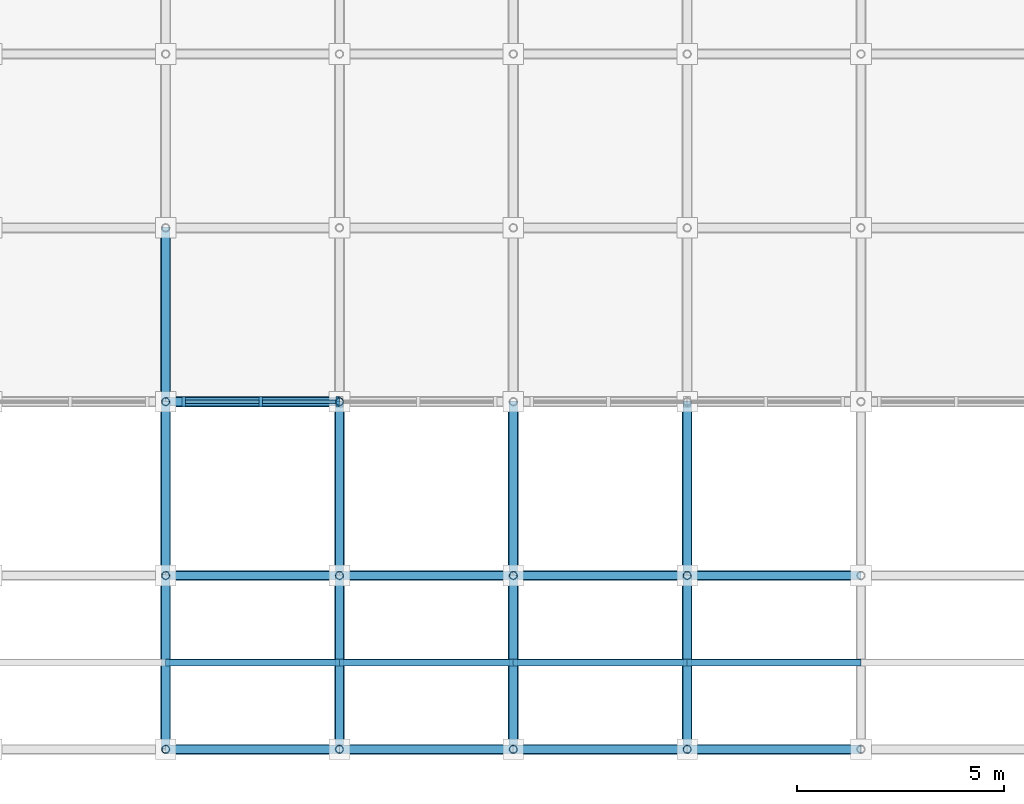
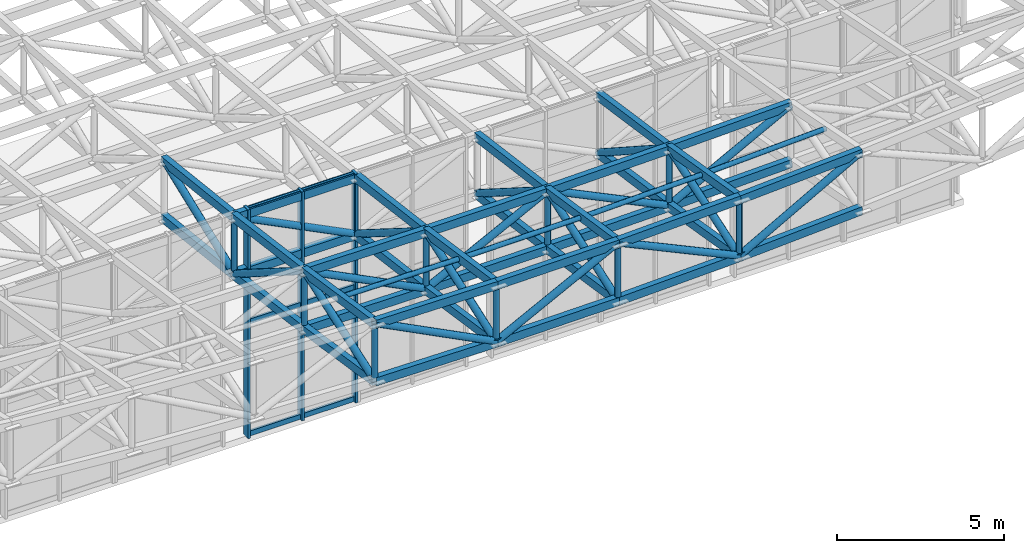
# One storey, part 32 of 123: 77 members, 1 element without a shape of its own.
"""IFC4 building model written with IfcOpenShell, lengths in metres."""

from ifc_helpers import new_model, si_unit, direction, frame, origin, origin_2d, place, context, subcontext, project, spatial, rectangle, hollow_rectangle, hollow_circle, extrude, material, material_profile, profile_set, type_object, element, aggregate, save


model = new_model("IFC4")

# Units and contexts
model_context = context("Model", 3, precision=1e-05, world=origin(), true_north=direction((0.0, 1.0)))
body_context = subcontext(model_context, "Body", "Model", "MODEL_VIEW")
ifc_project = project(units=[si_unit("LENGTHUNIT", "METRE"), si_unit("AREAUNIT", "SQUARE_METRE"), si_unit("VOLUMEUNIT", "CUBIC_METRE"), si_unit("PLANEANGLEUNIT", "RADIAN"), si_unit("MASSUNIT", "GRAM", prefix="KILO")], contexts=[model_context])

# Site, building, storey
site_placement = place(None, origin())
site = spatial("IfcSite", under=ifc_project, at=site_placement, CompositionType="ELEMENT")
building_placement = place(site_placement, origin())
building = spatial("IfcBuilding", under=site, at=building_placement, Name="Cumbredor Promenade Congress Hotel", CompositionType="ELEMENT")
storey_placement = place(building_placement, frame((0.0, 0.0, 11.760009765625)))
storey = spatial("IfcBuildingStorey", under=building, at=storey_placement, Name="L03", CompositionType="ELEMENT", Elevation=11.760009765625)

# Members
ifc_material_1 = material(Name="Steel ASTM A500 Grade C", Category="steel")
ifc_material_profile_1 = material_profile(ifc_material_1, hollow_rectangle(XDim=0.199951171875, YDim=0.300048828125, WallThickness=0.012451171875, at=origin_2d()), Name="HSS 300x200x12.5")
ifc_profile_set_1 = profile_set([ifc_material_profile_1], Name="Steel ASTM A500 Grade C")
member_type_1 = type_object("IfcMemberType", Name="Ballroom Roof Space Frame Chord", PredefinedType="CHORD", material=ifc_profile_set_1)
for number, where, z_axis, x_axis, name in (
    (1, (159.60009765625, 0.0, 9.376220703125), (0.999937723598, 0.0, -0.011160148982), (0.0, 1.0, 0.0), "Grand Ballroom Pavilion X Top Chord 6.1"),
    (2, (159.60009765625, 0.0, 7.276123046875), (0.999937723598, 0.0, -0.011160148982), (0.0, 1.0, 0.0), "Grand Ballroom Pavilion X Bottom Chord 6.1"),
    (3, (163.800048828125, 0.0, 9.329345703125), (0.999937723598, 0.0, 0.011160148982), (0.0, 1.0, 0.0), "Grand Ballroom Pavilion X Top Chord 7.1"),
    (4, (163.800048828125, 0.0, 7.229248046875), (0.999937723598, 0.0, 0.011160148982), (0.0, 1.0, 0.0), "Grand Ballroom Pavilion X Bottom Chord 7.1"),
):
    element("IfcMember", number, at=place(storey_placement, frame(where, z_axis=z_axis, x_axis=x_axis)), inside=storey, type_object=member_type_1, Name=name, PredefinedType="CHORD", context=body_context, shape_type="SweptSolid", body=[
        extrude(hollow_rectangle(XDim=0.199951171875, YDim=0.300048828125, WallThickness=0.012451171875, at=origin_2d()), origin(), (0.0, 0.0, 1.0), 4.2001953125),
    ])
for number, where, z_axis, x_axis, name in (
    (5, (168.0, 0.0, 9.376220703125), (0.999437986157, 0.0, 0.033521811196), (0.0, 1.0, 0.0), "Grand Ballroom Pavilion X Top Chord 8.1"),
    (6, (168.0, 0.0, 7.276123046875), (0.999437986157, 0.0, 0.033521811196), (0.0, 1.0, 0.0), "Grand Ballroom Pavilion X Bottom Chord 8.1"),
):
    element("IfcMember", number, at=place(storey_placement, frame(where, z_axis=z_axis, x_axis=x_axis)), inside=storey, type_object=member_type_1, Name=name, PredefinedType="CHORD", context=body_context, shape_type="SweptSolid", body=[
        extrude(hollow_rectangle(XDim=0.199951171875, YDim=0.300048828125, WallThickness=0.012451171875, at=origin_2d()), origin(), (0.0, 0.0, 1.0), 4.202392578125),
    ])
for number, where, z_axis, x_axis, name in (
    (7, (172.199951171875, 0.0, 9.51708984375), (0.998446571725, 0.0, 0.055717532341), (0.0, 1.0, 0.0), "Grand Ballroom Pavilion X Top Chord 9.1"),
    (8, (172.199951171875, 0.0, 7.4169921875), (0.998443341288, 0.0, 0.055775390977), (0.0, 1.0, 0.0), "Grand Ballroom Pavilion X Bottom Chord 9.1"),
):
    element("IfcMember", number, at=place(storey_placement, frame(where, z_axis=z_axis, x_axis=x_axis)), inside=storey, type_object=member_type_1, Name=name, PredefinedType="CHORD", context=body_context, shape_type="SweptSolid", body=[
        extrude(hollow_rectangle(XDim=0.199951171875, YDim=0.300048828125, WallThickness=0.012451171875, at=origin_2d()), origin(), (0.0, 0.0, 1.0), 4.20654296875),
    ])
for number, where, z_axis, x_axis, name in (
    (9, (159.60009765625, 4.199951171875, 8.7333984375), (0.999983105295, 0.0, -0.005812841396), (0.0, 1.0, 0.0), "Grand Ballroom Pavilion X Top Chord 6.2"),
    (10, (159.60009765625, 4.199951171875, 6.63330078125), (0.999983105295, 0.0, -0.005812841396), (0.0, 1.0, 0.0), "Grand Ballroom Pavilion X Bottom Chord 6.2"),
    (11, (163.800048828125, 4.199951171875, 8.708984375), (0.999983105295, 0.0, 0.005812841396), (0.0, 1.0, 0.0), "Grand Ballroom Pavilion X Top Chord 7.2"),
    (12, (163.800048828125, 4.199951171875, 6.60888671875), (0.999983105295, 0.0, 0.005812841396), (0.0, 1.0, 0.0), "Grand Ballroom Pavilion X Bottom Chord 7.2"),
):
    element("IfcMember", number, at=place(storey_placement, frame(where, z_axis=z_axis, x_axis=x_axis)), inside=storey, type_object=member_type_1, Name=name, PredefinedType="CHORD", context=body_context, shape_type="SweptSolid", body=[
        extrude(hollow_rectangle(XDim=0.199951171875, YDim=0.300048828125, WallThickness=0.012451171875, at=origin_2d()), origin(), (0.0, 0.0, 1.0), 4.199951171875),
    ])
for number, where, z_axis, x_axis, name in (
    (13, (168.0, 4.199951171875, 8.7333984375), (0.99984492355, 0.0, 0.017610475605), (0.0, 1.0, 0.0), "Grand Ballroom Pavilion X Top Chord 8.2"),
    (14, (168.0, 4.199951171875, 6.63330078125), (0.99984492355, 0.0, 0.017610475605), (0.0, 1.0, 0.0), "Grand Ballroom Pavilion X Bottom Chord 8.2"),
):
    element("IfcMember", number, at=place(storey_placement, frame(where, z_axis=z_axis, x_axis=x_axis)), inside=storey, type_object=member_type_1, Name=name, PredefinedType="CHORD", context=body_context, shape_type="SweptSolid", body=[
        extrude(hollow_rectangle(XDim=0.199951171875, YDim=0.300048828125, WallThickness=0.012451171875, at=origin_2d()), origin(), (0.0, 0.0, 1.0), 4.20068359375),
    ])
for number, where, z_axis, x_axis, name in (
    (15, (172.199951171875, 4.199951171875, 8.807373046875), (0.999569410131, 0.0, 0.029342704884), (0.0, 1.0, 0.0), "Grand Ballroom Pavilion X Top Chord 9.2"),
    (16, (172.199951171875, 4.199951171875, 6.707275390625), (0.999567704243, 0.0, 0.029400759074), (0.0, 1.0, 0.0), "Grand Ballroom Pavilion X Bottom Chord 9.2"),
):
    element("IfcMember", number, at=place(storey_placement, frame(where, z_axis=z_axis, x_axis=x_axis)), inside=storey, type_object=member_type_1, Name=name, PredefinedType="CHORD", context=body_context, shape_type="SweptSolid", body=[
        extrude(hollow_rectangle(XDim=0.199951171875, YDim=0.300048828125, WallThickness=0.012451171875, at=origin_2d()), origin(), (0.0, 0.0, 1.0), 4.20166015625),
    ])
for number, where, z_axis, x_axis, name in (
    (17, (159.60009765625, 8.39990234375, 8.17236328125), (0.999999254925, 0.0, -0.001220716407), (0.0, 1.0, 0.0), "Grand Ballroom Pavilion X Top Chord 6.3"),
    (18, (159.60009765625, 8.39990234375, 6.072509765625), (0.999999182277, 0.0, -0.001278845667), (0.0, 1.0, 0.0), "Grand Ballroom Pavilion X Bottom Chord 6.3"),
):
    element("IfcMember", number, at=place(storey_placement, frame(where, z_axis=z_axis, x_axis=x_axis)), inside=storey, type_object=member_type_1, Name=name, PredefinedType="CHORD", context=body_context, shape_type="SweptSolid", body=[
        extrude(hollow_rectangle(XDim=0.199951171875, YDim=0.300048828125, WallThickness=0.012451171875, at=origin_2d()), origin(), (0.0, 0.0, 1.0), 4.199951171875),
    ])
for number, where, z_axis, x_axis, name in (
    (19, (159.60009765625, 0.0, 9.376220703125), (0.0, 0.988488979829, -0.151292884025), (-1.0, 0.0, 0.0), "Grand Ballroom Pavilion Y Top Chord 6.1"),
    (20, (159.60009765625, 0.0, 7.276123046875), (0.0, 0.988488979829, -0.151292884025), (-1.0, 0.0, 0.0), "Grand Ballroom Pavilion Y Bottom Chord 6.1"),
):
    element("IfcMember", number, at=place(storey_placement, frame(where, z_axis=z_axis, x_axis=x_axis)), inside=storey, type_object=member_type_1, Name=name, PredefinedType="CHORD", context=body_context, shape_type="SweptSolid", body=[
        extrude(hollow_rectangle(XDim=0.199951171875, YDim=0.300048828125, WallThickness=0.012451171875, at=origin_2d()), origin(), (0.0, 0.0, 1.0), 4.248779296875),
    ])
for number, where, z_axis, x_axis, name in (
    (21, (159.60009765625, 4.199951171875, 8.7333984375), (0.0, 0.99119566578, -0.13240525722), (-1.0, 0.0, 0.0), "Grand Ballroom Pavilion Y Top Chord 6.2"),
    (22, (159.60009765625, 4.199951171875, 6.63330078125), (0.0, 0.991203225928, -0.13234864907), (-1.0, 0.0, 0.0), "Grand Ballroom Pavilion Y Bottom Chord 6.2"),
):
    element("IfcMember", number, at=place(storey_placement, frame(where, z_axis=z_axis, x_axis=x_axis)), inside=storey, type_object=member_type_1, Name=name, PredefinedType="CHORD", context=body_context, shape_type="SweptSolid", body=[
        extrude(hollow_rectangle(XDim=0.199951171875, YDim=0.300048828125, WallThickness=0.012451171875, at=origin_2d()), origin(), (0.0, 0.0, 1.0), 4.2373046875),
    ])
member_1_placement = place(storey_placement, frame((159.60009765625, 8.39990234375, 8.17236328125), z_axis=(0.0, 0.993507706483, -0.1137648327), x_axis=(-1.0, 0.0, 0.0)))
element("IfcMember", 23, at=member_1_placement, inside=storey, type_object=member_type_1, Name="Grand Ballroom Pavilion Y Top Chord 6.3", PredefinedType="CHORD", context=body_context, shape_type="SweptSolid", body=[
    extrude(hollow_rectangle(XDim=0.199951171875, YDim=0.300048828125, WallThickness=0.012451171875, at=origin_2d()), origin(), (0.0, 0.0, 1.0), 4.2275390625),
])
member_2_placement = place(storey_placement, frame((159.60009765625, 8.39990234375, 6.072509765625), z_axis=(0.0, 0.993501177778, -0.113821833376), x_axis=(-1.0, 0.0, 0.0)))
element("IfcMember", 24, at=member_2_placement, inside=storey, type_object=member_type_1, Name="Grand Ballroom Pavilion Y Bottom Chord 6.3", PredefinedType="CHORD", context=body_context, shape_type="SweptSolid", body=[
    extrude(hollow_rectangle(XDim=0.199951171875, YDim=0.300048828125, WallThickness=0.012451171875, at=origin_2d()), origin(), (0.0, 0.0, 1.0), 4.227783203125),
])
for number, where, z_axis, x_axis, name in (
    (25, (163.800048828125, 0.0, 9.329345703125), (0.0, 0.989266664707, -0.146121408767), (-1.0, 0.0, 0.0), "Grand Ballroom Pavilion Y Top Chord 7.1"),
    (26, (163.800048828125, 0.0, 7.229248046875), (0.0, 0.989266664707, -0.146121408767), (-1.0, 0.0, 0.0), "Grand Ballroom Pavilion Y Bottom Chord 7.1"),
):
    element("IfcMember", number, at=place(storey_placement, frame(where, z_axis=z_axis, x_axis=x_axis)), inside=storey, type_object=member_type_1, Name=name, PredefinedType="CHORD", context=body_context, shape_type="SweptSolid", body=[
        extrude(hollow_rectangle(XDim=0.199951171875, YDim=0.300048828125, WallThickness=0.012451171875, at=origin_2d()), origin(), (0.0, 0.0, 1.0), 4.24560546875),
    ])
for number, where, z_axis, x_axis, name in (
    (27, (163.800048828125, 4.199951171875, 8.708984375), (0.0, 0.991783294567, -0.127929264119), (-1.0, 0.0, 0.0), "Grand Ballroom Pavilion Y Top Chord 7.2"),
    (28, (163.800048828125, 4.199951171875, 6.60888671875), (0.0, 0.991783294567, -0.127929264119), (-1.0, 0.0, 0.0), "Grand Ballroom Pavilion Y Bottom Chord 7.2"),
):
    element("IfcMember", number, at=place(storey_placement, frame(where, z_axis=z_axis, x_axis=x_axis)), inside=storey, type_object=member_type_1, Name=name, PredefinedType="CHORD", context=body_context, shape_type="SweptSolid", body=[
        extrude(hollow_rectangle(XDim=0.199951171875, YDim=0.300048828125, WallThickness=0.012451171875, at=origin_2d()), origin(), (0.0, 0.0, 1.0), 4.23486328125),
    ])
for number, where, z_axis, x_axis, name in (
    (29, (168.0, 0.0, 9.376220703125), (0.0, 0.988488979829, -0.151292884025), (-1.0, 0.0, 0.0), "Grand Ballroom Pavilion Y Top Chord 8.1"),
    (30, (168.0, 0.0, 7.276123046875), (0.0, 0.988488979829, -0.151292884025), (-1.0, 0.0, 0.0), "Grand Ballroom Pavilion Y Bottom Chord 8.1"),
):
    element("IfcMember", number, at=place(storey_placement, frame(where, z_axis=z_axis, x_axis=x_axis)), inside=storey, type_object=member_type_1, Name=name, PredefinedType="CHORD", context=body_context, shape_type="SweptSolid", body=[
        extrude(hollow_rectangle(XDim=0.199951171875, YDim=0.300048828125, WallThickness=0.012451171875, at=origin_2d()), origin(), (0.0, 0.0, 1.0), 4.248779296875),
    ])
for number, where, z_axis, x_axis, name in (
    (31, (168.0, 4.199951171875, 8.7333984375), (0.0, 0.99119566578, -0.13240525722), (-1.0, 0.0, 0.0), "Grand Ballroom Pavilion Y Top Chord 8.2"),
    (32, (168.0, 4.199951171875, 6.63330078125), (0.0, 0.991203225928, -0.13234864907), (-1.0, 0.0, 0.0), "Grand Ballroom Pavilion Y Bottom Chord 8.2"),
):
    element("IfcMember", number, at=place(storey_placement, frame(where, z_axis=z_axis, x_axis=x_axis)), inside=storey, type_object=member_type_1, Name=name, PredefinedType="CHORD", context=body_context, shape_type="SweptSolid", body=[
        extrude(hollow_rectangle(XDim=0.199951171875, YDim=0.300048828125, WallThickness=0.012451171875, at=origin_2d()), origin(), (0.0, 0.0, 1.0), 4.2373046875),
    ])
for number, where, z_axis, x_axis, name in (
    (33, (172.199951171875, 0.0, 9.51708984375), (0.0, 0.986021186806, -0.166619984308), (-1.0, 0.0, 0.0), "Grand Ballroom Pavilion Y Top Chord 9.1"),
    (34, (172.199951171875, 0.0, 7.4169921875), (0.0, 0.986021186806, -0.166619984308), (-1.0, 0.0, 0.0), "Grand Ballroom Pavilion Y Bottom Chord 9.1"),
):
    element("IfcMember", number, at=place(storey_placement, frame(where, z_axis=z_axis, x_axis=x_axis)), inside=storey, type_object=member_type_1, Name=name, PredefinedType="CHORD", context=body_context, shape_type="SweptSolid", body=[
        extrude(hollow_rectangle(XDim=0.199951171875, YDim=0.300048828125, WallThickness=0.012451171875, at=origin_2d()), origin(), (0.0, 0.0, 1.0), 4.259521484375),
    ])
for number, where, z_axis, x_axis, name in (
    (35, (172.199951171875, 4.199951171875, 8.807373046875), (0.0, 0.989316485131, -0.145783717364), (-1.0, 0.0, 0.0), "Grand Ballroom Pavilion Y Top Chord 9.2"),
    (36, (172.199951171875, 4.199951171875, 6.707275390625), (0.0, 0.989324777815, -0.145727430505), (-1.0, 0.0, 0.0), "Grand Ballroom Pavilion Y Bottom Chord 9.2"),
):
    element("IfcMember", number, at=place(storey_placement, frame(where, z_axis=z_axis, x_axis=x_axis)), inside=storey, type_object=member_type_1, Name=name, PredefinedType="CHORD", context=body_context, shape_type="SweptSolid", body=[
        extrude(hollow_rectangle(XDim=0.199951171875, YDim=0.300048828125, WallThickness=0.012451171875, at=origin_2d()), origin(), (0.0, 0.0, 1.0), 4.245361328125),
    ])

# Curtain wall, members
ifc_material_2 = material(Name="Thermally broken anodized aluminium and low-E glass", Category="aluminium")
curtain_wall_type = type_object("IfcCurtainWallType", Name="Stepped Pavilion Clerestory Curtain Wall CW-06", PredefinedType="NOTDEFINED", material=ifc_material_2)
curtain_wall_placement = place(storey_placement, origin())
curtain_wall = element("IfcCurtainWall", 37, at=curtain_wall_placement, inside=storey, type_object=curtain_wall_type, Name="Grand Ballroom Pavilion S Glazed Clerestory 5", PredefinedType="NOTDEFINED")
ifc_material_3 = material(Name="Thermally broken anodized aluminium", Category="aluminium")
ifc_material_profile_2 = material_profile(ifc_material_3, rectangle(XDim=0.0849609375, YDim=0.260009765625, at=origin_2d()), Name="ALU MULLION CLERESTORY 85x260")
ifc_profile_set_2 = profile_set([ifc_material_profile_2], Name="Thermally broken anodized aluminium")
member_type_2 = type_object("IfcMemberType", Name="Curtain Wall Mullion ML-04", PredefinedType="MULLION", material=ifc_profile_set_2)
member_3_placement = place(storey_placement, frame((160.0400390625, 8.39990234375, -0.01806640625), z_axis=(0.0, 0.0, 1.0), x_axis=(1.0, 0.0, 0.0)))
member_3 = element("IfcMember", 38, at=member_3_placement, type_object=member_type_2, Name="Grand Ballroom Pavilion S Glazed Clerestory 5 Mullion 1", PredefinedType="MULLION", context=body_context, shape_type="SweptSolid", body=[
    extrude(rectangle(XDim=0.0849609375, YDim=0.260009765625, at=origin_2d()), origin(), (0.0, 0.0, 1.0), 8.361328125),
])
member_4_placement = place(storey_placement, frame((161.89990234375, 8.39990234375, -0.01806640625), z_axis=(0.0, 0.0, 1.0), x_axis=(1.0, 0.0, 0.0)))
member_4 = element("IfcMember", 39, at=member_4_placement, type_object=member_type_2, Name="Grand Ballroom Pavilion S Glazed Clerestory 5 Mullion 2", PredefinedType="MULLION", context=body_context, shape_type="SweptSolid", body=[
    extrude(rectangle(XDim=0.0849609375, YDim=0.260009765625, at=origin_2d()), origin(), (0.0, 0.0, 1.0), 8.361328125),
])
member_5_placement = place(storey_placement, frame((163.760009765625, 8.39990234375, -0.01806640625), z_axis=(0.0, 0.0, 1.0), x_axis=(1.0, 0.0, 0.0)))
member_5 = element("IfcMember", 40, at=member_5_placement, type_object=member_type_2, Name="Grand Ballroom Pavilion S Glazed Clerestory 5 Mullion 3", PredefinedType="MULLION", context=body_context, shape_type="SweptSolid", body=[
    extrude(rectangle(XDim=0.0849609375, YDim=0.260009765625, at=origin_2d()), origin(), (0.0, 0.0, 1.0), 8.361328125),
])
ifc_material_profile_3 = material_profile(ifc_material_3, rectangle(XDim=0.080078125, YDim=0.179931640625, at=origin_2d()), Name="ALU TRANSOM 80x180")
ifc_profile_set_3 = profile_set([ifc_material_profile_3], Name="Thermally broken anodized aluminium")
member_type_3 = type_object("IfcMemberType", Name="Curtain Wall Transom TR-03", PredefinedType="USERDEFINED", material=ifc_profile_set_3)
member_6_placement = place(storey_placement, frame((160.08251953125, 8.39990234375, 0.080078125), z_axis=(1.0, 0.0, 0.0), x_axis=(0.0, 1.0, 0.0)))
member_6 = element("IfcMember", 41, at=member_6_placement, type_object=member_type_3, Name="Grand Ballroom Pavilion S Glazed Clerestory 5 Transom 1.1", ObjectType="TRANSOM", PredefinedType="USERDEFINED", context=body_context, shape_type="SweptSolid", body=[
    extrude(rectangle(XDim=0.080078125, YDim=0.179931640625, at=origin_2d()), origin(), (0.0, 0.0, 1.0), 1.77490234375),
])
member_7_placement = place(storey_placement, frame((160.08251953125, 8.39990234375, 4.169921875), z_axis=(1.0, 0.0, 0.0), x_axis=(0.0, 1.0, 0.0)))
member_7 = element("IfcMember", 42, at=member_7_placement, type_object=member_type_3, Name="Grand Ballroom Pavilion S Glazed Clerestory 5 Transom 1.2", ObjectType="TRANSOM", PredefinedType="USERDEFINED", context=body_context, shape_type="SweptSolid", body=[
    extrude(rectangle(XDim=0.080078125, YDim=0.179931640625, at=origin_2d()), origin(), (0.0, 0.0, 1.0), 1.77490234375),
])
member_8_placement = place(storey_placement, frame((160.08251953125, 8.39990234375, 8.25), z_axis=(1.0, 0.0, 0.0), x_axis=(0.0, 1.0, 0.0)))
member_8 = element("IfcMember", 43, at=member_8_placement, type_object=member_type_3, Name="Grand Ballroom Pavilion S Glazed Clerestory 5 Transom 1.3", ObjectType="TRANSOM", PredefinedType="USERDEFINED", context=body_context, shape_type="SweptSolid", body=[
    extrude(rectangle(XDim=0.080078125, YDim=0.179931640625, at=origin_2d()), origin(), (0.0, 0.0, 1.0), 1.77490234375),
])
member_9_placement = place(storey_placement, frame((161.9423828125, 8.39990234375, 0.080078125), z_axis=(1.0, 0.0, 0.0), x_axis=(0.0, 1.0, 0.0)))
member_9 = element("IfcMember", 44, at=member_9_placement, type_object=member_type_3, Name="Grand Ballroom Pavilion S Glazed Clerestory 5 Transom 2.1", ObjectType="TRANSOM", PredefinedType="USERDEFINED", context=body_context, shape_type="SweptSolid", body=[
    extrude(rectangle(XDim=0.080078125, YDim=0.179931640625, at=origin_2d()), origin(), (0.0, 0.0, 1.0), 1.775146484375),
])
member_10_placement = place(storey_placement, frame((161.9423828125, 8.39990234375, 4.169921875), z_axis=(1.0, 0.0, 0.0), x_axis=(0.0, 1.0, 0.0)))
member_10 = element("IfcMember", 45, at=member_10_placement, type_object=member_type_3, Name="Grand Ballroom Pavilion S Glazed Clerestory 5 Transom 2.2", ObjectType="TRANSOM", PredefinedType="USERDEFINED", context=body_context, shape_type="SweptSolid", body=[
    extrude(rectangle(XDim=0.080078125, YDim=0.179931640625, at=origin_2d()), origin(), (0.0, 0.0, 1.0), 1.775146484375),
])
member_11_placement = place(storey_placement, frame((161.9423828125, 8.39990234375, 8.25), z_axis=(1.0, 0.0, 0.0), x_axis=(0.0, 1.0, 0.0)))
member_11 = element("IfcMember", 46, at=member_11_placement, type_object=member_type_3, Name="Grand Ballroom Pavilion S Glazed Clerestory 5 Transom 2.3", ObjectType="TRANSOM", PredefinedType="USERDEFINED", context=body_context, shape_type="SweptSolid", body=[
    extrude(rectangle(XDim=0.080078125, YDim=0.179931640625, at=origin_2d()), origin(), (0.0, 0.0, 1.0), 1.775146484375),
])
aggregate(curtain_wall, [member_3, member_4, member_5, member_6, member_7, member_8, member_9, member_10, member_11])

# Members
ifc_material_profile_4 = material_profile(ifc_material_1, hollow_circle(Radius=0.084228515625, WallThickness=0.010009765625, at=origin_2d()), Name="CHS 168.3x10")
ifc_profile_set_4 = profile_set([ifc_material_profile_4], Name="Steel ASTM A500 Grade C")
member_type_4 = type_object("IfcMemberType", Name="Roof Purlin CHS168", PredefinedType="PURLIN", material=ifc_profile_set_4)
for number, where, z_axis, x_axis, name in (
    (47, (159.60009765625, 2.10009765625, 9.034912109375), (0.999963988279, 0.0, -0.008486586194), (0.0, 1.0, 0.0), "Grand Ballroom Pavilion Roof Eave Purlin 6.1"),
    (48, (163.800048828125, 2.10009765625, 8.999267578125), (0.999963988279, 0.0, 0.008486586194), (0.0, 1.0, 0.0), "Grand Ballroom Pavilion Roof Eave Purlin 7.1"),
):
    element("IfcMember", number, at=place(storey_placement, frame(where, z_axis=z_axis, x_axis=x_axis)), inside=storey, type_object=member_type_4, Name=name, PredefinedType="PURLIN", context=body_context, shape_type="SweptSolid", body=[
        extrude(hollow_circle(Radius=0.084228515625, WallThickness=0.010009765625, at=origin_2d()), origin(), (0.0, 0.0, 1.0), 4.2001953125),
    ])
member_12_placement = place(storey_placement, frame((168.0, 2.10009765625, 9.034912109375), z_axis=(0.999674554241, 0.0, 0.025510499873), x_axis=(0.0, 1.0, 0.0)))
element("IfcMember", 49, at=member_12_placement, inside=storey, type_object=member_type_4, Name="Grand Ballroom Pavilion Roof Eave Purlin 8.1", PredefinedType="PURLIN", context=body_context, shape_type="SweptSolid", body=[
    extrude(hollow_circle(Radius=0.084228515625, WallThickness=0.010009765625, at=origin_2d()), origin(), (0.0, 0.0, 1.0), 4.201416015625),
])
member_13_placement = place(storey_placement, frame((172.199951171875, 2.10009765625, 9.14208984375), z_axis=(0.999093477233, 0.0, 0.042570221404), x_axis=(0.0, 1.0, 0.0)))
element("IfcMember", 50, at=member_13_placement, inside=storey, type_object=member_type_4, Name="Grand Ballroom Pavilion Roof Eave Purlin 9.1", PredefinedType="PURLIN", context=body_context, shape_type="SweptSolid", body=[
    extrude(hollow_circle(Radius=0.084228515625, WallThickness=0.010009765625, at=origin_2d()), origin(), (0.0, 0.0, 1.0), 4.203857421875),
])
ifc_material_profile_5 = material_profile(ifc_material_1, hollow_circle(Radius=0.122314453125, WallThickness=0.012451171875, at=origin_2d()), Name="CHS 244.5x12.5")
ifc_profile_set_5 = profile_set([ifc_material_profile_5], Name="Steel ASTM A500 Grade C")
member_type_5 = type_object("IfcMemberType", Name="Space Frame Web Diagonal D2", PredefinedType="BRACE", material=ifc_profile_set_5)
for number, where, z_axis, x_axis, name in (
    (51, (159.60009765625, 0.0, 9.376220703125), (0.890406247583, 0.0, -0.45516668844), (0.0, 1.0, 0.0), "Grand Ballroom Pavilion X Web Diagonal 6.1"),
    (52, (163.800048828125, 0.0, 7.229248046875), (0.890406247583, 0.0, 0.45516668844), (0.0, 1.0, 0.0), "Grand Ballroom Pavilion X Web Diagonal 7.1"),
):
    element("IfcMember", number, at=place(storey_placement, frame(where, z_axis=z_axis, x_axis=x_axis)), inside=storey, type_object=member_type_5, Name=name, PredefinedType="BRACE", context=body_context, shape_type="SweptSolid", body=[
        extrude(hollow_circle(Radius=0.122314453125, WallThickness=0.012451171875, at=origin_2d()), origin(), (0.0, 0.0, 1.0), 4.716796875),
    ])
member_14_placement = place(storey_placement, frame((168.0, 0.0, 9.376220703125), z_axis=(0.906245038283, 0.0, -0.422752800803), x_axis=(0.0, 1.0, 0.0)))
element("IfcMember", 53, at=member_14_placement, inside=storey, type_object=member_type_5, Name="Grand Ballroom Pavilion X Web Diagonal 8.1", PredefinedType="BRACE", context=body_context, shape_type="SweptSolid", body=[
    extrude(hollow_circle(Radius=0.122314453125, WallThickness=0.012451171875, at=origin_2d()), origin(), (0.0, 0.0, 1.0), 4.634521484375),
])
member_15_placement = place(storey_placement, frame((172.199951171875, 0.0, 7.4169921875), z_axis=(0.874054201985, 0.0, 0.485828418263), x_axis=(0.0, 1.0, 0.0)))
element("IfcMember", 54, at=member_15_placement, inside=storey, type_object=member_type_5, Name="Grand Ballroom Pavilion X Web Diagonal 9.1", PredefinedType="BRACE", context=body_context, shape_type="SweptSolid", body=[
    extrude(hollow_circle(Radius=0.122314453125, WallThickness=0.012451171875, at=origin_2d()), origin(), (0.0, 0.0, 1.0), 4.80517578125),
])
for number, where, z_axis, x_axis, name in (
    (55, (159.60009765625, 4.199951171875, 8.7333984375), (0.892332264786, 0.0, -0.451379141323), (0.0, 1.0, 0.0), "Grand Ballroom Pavilion X Web Diagonal 6.2"),
    (56, (163.800048828125, 4.199951171875, 6.60888671875), (0.892332264786, 0.0, 0.451379141323), (0.0, 1.0, 0.0), "Grand Ballroom Pavilion X Web Diagonal 7.2"),
):
    element("IfcMember", number, at=place(storey_placement, frame(where, z_axis=z_axis, x_axis=x_axis)), inside=storey, type_object=member_type_5, Name=name, PredefinedType="BRACE", context=body_context, shape_type="SweptSolid", body=[
        extrude(hollow_circle(Radius=0.122314453125, WallThickness=0.012451171875, at=origin_2d()), origin(), (0.0, 0.0, 1.0), 4.706787109375),
    ])
member_16_placement = place(storey_placement, frame((168.0, 4.199951171875, 8.7333984375), z_axis=(0.900672468658, 0.0, -0.434498681474), x_axis=(0.0, 1.0, 0.0)))
element("IfcMember", 57, at=member_16_placement, inside=storey, type_object=member_type_5, Name="Grand Ballroom Pavilion X Web Diagonal 8.2", PredefinedType="BRACE", context=body_context, shape_type="SweptSolid", body=[
    extrude(hollow_circle(Radius=0.122314453125, WallThickness=0.012451171875, at=origin_2d()), origin(), (0.0, 0.0, 1.0), 4.6630859375),
])
member_17_placement = place(storey_placement, frame((172.199951171875, 4.199951171875, 6.707275390625), z_axis=(0.883797913372, 0.0, 0.467868836661), x_axis=(0.0, 1.0, 0.0)))
element("IfcMember", 58, at=member_17_placement, inside=storey, type_object=member_type_5, Name="Grand Ballroom Pavilion X Web Diagonal 9.2", PredefinedType="BRACE", context=body_context, shape_type="SweptSolid", body=[
    extrude(hollow_circle(Radius=0.122314453125, WallThickness=0.012451171875, at=origin_2d()), origin(), (0.0, 0.0, 1.0), 4.752197265625),
])
member_18_placement = place(storey_placement, frame((159.60009765625, 8.39990234375, 8.17236328125), z_axis=(0.893979832423, 0.0, -0.448107196128), x_axis=(0.0, 1.0, 0.0)))
element("IfcMember", 59, at=member_18_placement, inside=storey, type_object=member_type_5, Name="Grand Ballroom Pavilion X Web Diagonal 6.3", PredefinedType="BRACE", context=body_context, shape_type="SweptSolid", body=[
    extrude(hollow_circle(Radius=0.122314453125, WallThickness=0.012451171875, at=origin_2d()), origin(), (0.0, 0.0, 1.0), 4.697998046875),
])
member_19_placement = place(storey_placement, frame((159.60009765625, 0.0, 7.276123046875), z_axis=(0.0, 0.944746199568, 0.327802712621), x_axis=(-1.0, 0.0, 0.0)))
element("IfcMember", 60, at=member_19_placement, inside=storey, type_object=member_type_5, Name="Grand Ballroom Pavilion Y Web Diagonal 6.1", PredefinedType="BRACE", context=body_context, shape_type="SweptSolid", body=[
    extrude(hollow_circle(Radius=0.122314453125, WallThickness=0.012451171875, at=origin_2d()), origin(), (0.0, 0.0, 1.0), 4.445556640625),
])
member_20_placement = place(storey_placement, frame((159.60009765625, 4.199951171875, 8.7333984375), z_axis=(0.0, 0.844735460001, -0.535184082925), x_axis=(-1.0, 0.0, 0.0)))
element("IfcMember", 61, at=member_20_placement, inside=storey, type_object=member_type_5, Name="Grand Ballroom Pavilion Y Web Diagonal 6.2", PredefinedType="BRACE", context=body_context, shape_type="SweptSolid", body=[
    extrude(hollow_circle(Radius=0.122314453125, WallThickness=0.012451171875, at=origin_2d()), origin(), (0.0, 0.0, 1.0), 4.971923828125),
])
member_21_placement = place(storey_placement, frame((159.60009765625, 8.39990234375, 6.072509765625), z_axis=(0.0, 0.933089561736, 0.359644087647), x_axis=(-1.0, 0.0, 0.0)))
element("IfcMember", 62, at=member_21_placement, inside=storey, type_object=member_type_5, Name="Grand Ballroom Pavilion Y Web Diagonal 6.3", PredefinedType="BRACE", context=body_context, shape_type="SweptSolid", body=[
    extrude(hollow_circle(Radius=0.122314453125, WallThickness=0.012451171875, at=origin_2d()), origin(), (0.0, 0.0, 1.0), 4.50146484375),
])
member_22_placement = place(storey_placement, frame((163.800048828125, 0.0, 7.229248046875), z_axis=(0.0, 0.943173394239, 0.332300990669), x_axis=(-1.0, 0.0, 0.0)))
element("IfcMember", 63, at=member_22_placement, inside=storey, type_object=member_type_5, Name="Grand Ballroom Pavilion Y Web Diagonal 7.1", PredefinedType="BRACE", context=body_context, shape_type="SweptSolid", body=[
    extrude(hollow_circle(Radius=0.122314453125, WallThickness=0.012451171875, at=origin_2d()), origin(), (0.0, 0.0, 1.0), 4.452880859375),
])
member_23_placement = place(storey_placement, frame((163.800048828125, 4.199951171875, 8.708984375), z_axis=(0.0, 0.846466118097, -0.532442589312), x_axis=(-1.0, 0.0, 0.0)))
element("IfcMember", 64, at=member_23_placement, inside=storey, type_object=member_type_5, Name="Grand Ballroom Pavilion Y Web Diagonal 7.2", PredefinedType="BRACE", context=body_context, shape_type="SweptSolid", body=[
    extrude(hollow_circle(Radius=0.122314453125, WallThickness=0.012451171875, at=origin_2d()), origin(), (0.0, 0.0, 1.0), 4.961669921875),
])
member_24_placement = place(storey_placement, frame((168.0, 0.0, 7.276123046875), z_axis=(0.0, 0.944746199568, 0.327802712621), x_axis=(-1.0, 0.0, 0.0)))
element("IfcMember", 65, at=member_24_placement, inside=storey, type_object=member_type_5, Name="Grand Ballroom Pavilion Y Web Diagonal 8.1", PredefinedType="BRACE", context=body_context, shape_type="SweptSolid", body=[
    extrude(hollow_circle(Radius=0.122314453125, WallThickness=0.012451171875, at=origin_2d()), origin(), (0.0, 0.0, 1.0), 4.445556640625),
])
member_25_placement = place(storey_placement, frame((168.0, 4.199951171875, 8.7333984375), z_axis=(0.0, 0.844735460001, -0.535184082925), x_axis=(-1.0, 0.0, 0.0)))
element("IfcMember", 66, at=member_25_placement, inside=storey, type_object=member_type_5, Name="Grand Ballroom Pavilion Y Web Diagonal 8.2", PredefinedType="BRACE", context=body_context, shape_type="SweptSolid", body=[
    extrude(hollow_circle(Radius=0.122314453125, WallThickness=0.012451171875, at=origin_2d()), origin(), (0.0, 0.0, 1.0), 4.971923828125),
])
member_26_placement = place(storey_placement, frame((172.199951171875, 0.0, 7.4169921875), z_axis=(0.0, 0.949332459363, 0.314273577636), x_axis=(-1.0, 0.0, 0.0)))
element("IfcMember", 67, at=member_26_placement, inside=storey, type_object=member_type_5, Name="Grand Ballroom Pavilion Y Web Diagonal 9.1", PredefinedType="BRACE", context=body_context, shape_type="SweptSolid", body=[
    extrude(hollow_circle(Radius=0.122314453125, WallThickness=0.012451171875, at=origin_2d()), origin(), (0.0, 0.0, 1.0), 4.424072265625),
])
member_27_placement = place(storey_placement, frame((172.199951171875, 4.199951171875, 8.807373046875), z_axis=(0.0, 0.839466714631, -0.543411110511), x_axis=(-1.0, 0.0, 0.0)))
element("IfcMember", 68, at=member_27_placement, inside=storey, type_object=member_type_5, Name="Grand Ballroom Pavilion Y Web Diagonal 9.2", PredefinedType="BRACE", context=body_context, shape_type="SweptSolid", body=[
    extrude(hollow_circle(Radius=0.122314453125, WallThickness=0.012451171875, at=origin_2d()), origin(), (0.0, 0.0, 1.0), 5.003173828125),
])
ifc_material_profile_6 = material_profile(ifc_material_1, hollow_circle(Radius=0.096923828125, WallThickness=0.010009765625, at=origin_2d()), Name="CHS 193.7x10")
ifc_profile_set_6 = profile_set([ifc_material_profile_6], Name="Steel ASTM A500 Grade C")
member_type_6 = type_object("IfcMemberType", Name="Space Frame Web Post P1", PredefinedType="BRACE", material=ifc_profile_set_6)
for number, where, z_axis, x_axis, name in (
    (69, (159.60009765625, 0.0, 7.276123046875), (0.0, 0.0, 1.0), (1.0, 0.0, 0.0), "Grand Ballroom Pavilion Space Frame Web Post 6.1"),
    (70, (159.60009765625, 4.199951171875, 6.63330078125), (0.0, 0.0, 1.0), (1.0, 0.0, 0.0), "Grand Ballroom Pavilion Space Frame Web Post 6.2"),
):
    element("IfcMember", number, at=place(storey_placement, frame(where, z_axis=z_axis, x_axis=x_axis)), inside=storey, type_object=member_type_6, Name=name, PredefinedType="BRACE", context=body_context, shape_type="SweptSolid", body=[
        extrude(hollow_circle(Radius=0.096923828125, WallThickness=0.010009765625, at=origin_2d()), origin(), (0.0, 0.0, 1.0), 2.10009765625),
    ])
member_28_placement = place(storey_placement, frame((159.60009765625, 8.39990234375, 6.072509765625), z_axis=(0.0, 0.0, 1.0), x_axis=(1.0, 0.0, 0.0)))
element("IfcMember", 71, at=member_28_placement, inside=storey, type_object=member_type_6, Name="Grand Ballroom Pavilion Space Frame Web Post 6.3", PredefinedType="BRACE", context=body_context, shape_type="SweptSolid", body=[
    extrude(hollow_circle(Radius=0.096923828125, WallThickness=0.010009765625, at=origin_2d()), origin(), (0.0, 0.0, 1.0), 2.099853515625),
])
for number, where, z_axis, x_axis, name in (
    (72, (163.800048828125, 0.0, 7.229248046875), (0.0, 0.0, 1.0), (1.0, 0.0, 0.0), "Grand Ballroom Pavilion Space Frame Web Post 7.1"),
    (73, (163.800048828125, 4.199951171875, 6.60888671875), (0.0, 0.0, 1.0), (1.0, 0.0, 0.0), "Grand Ballroom Pavilion Space Frame Web Post 7.2"),
    (74, (163.800048828125, 8.39990234375, 6.067138671875), (0.0, 0.0, 1.0), (1.0, 0.0, 0.0), "Grand Ballroom Pavilion Space Frame Web Post 7.3"),
    (75, (168.0, 0.0, 7.276123046875), (0.0, 0.0, 1.0), (1.0, 0.0, 0.0), "Grand Ballroom Pavilion Space Frame Web Post 8.1"),
    (76, (168.0, 4.199951171875, 6.63330078125), (0.0, 0.0, 1.0), (1.0, 0.0, 0.0), "Grand Ballroom Pavilion Space Frame Web Post 8.2"),
    (77, (172.199951171875, 0.0, 7.4169921875), (0.0, 0.0, 1.0), (1.0, 0.0, 0.0), "Grand Ballroom Pavilion Space Frame Web Post 9.1"),
    (78, (172.199951171875, 4.199951171875, 6.707275390625), (0.0, 0.0, 1.0), (1.0, 0.0, 0.0), "Grand Ballroom Pavilion Space Frame Web Post 9.2"),
):
    element("IfcMember", number, at=place(storey_placement, frame(where, z_axis=z_axis, x_axis=x_axis)), inside=storey, type_object=member_type_6, Name=name, PredefinedType="BRACE", context=body_context, shape_type="SweptSolid", body=[
        extrude(hollow_circle(Radius=0.096923828125, WallThickness=0.010009765625, at=origin_2d()), origin(), (0.0, 0.0, 1.0), 2.10009765625),
    ])

save(model, "model.ifc")
